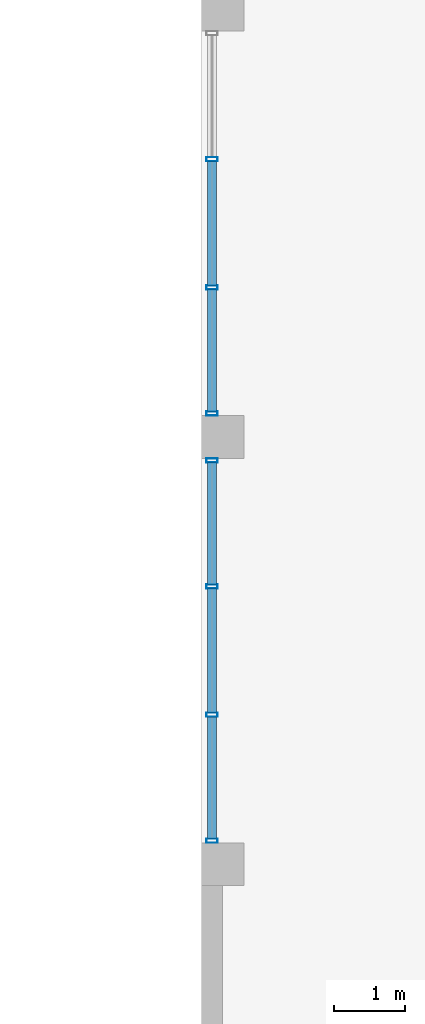
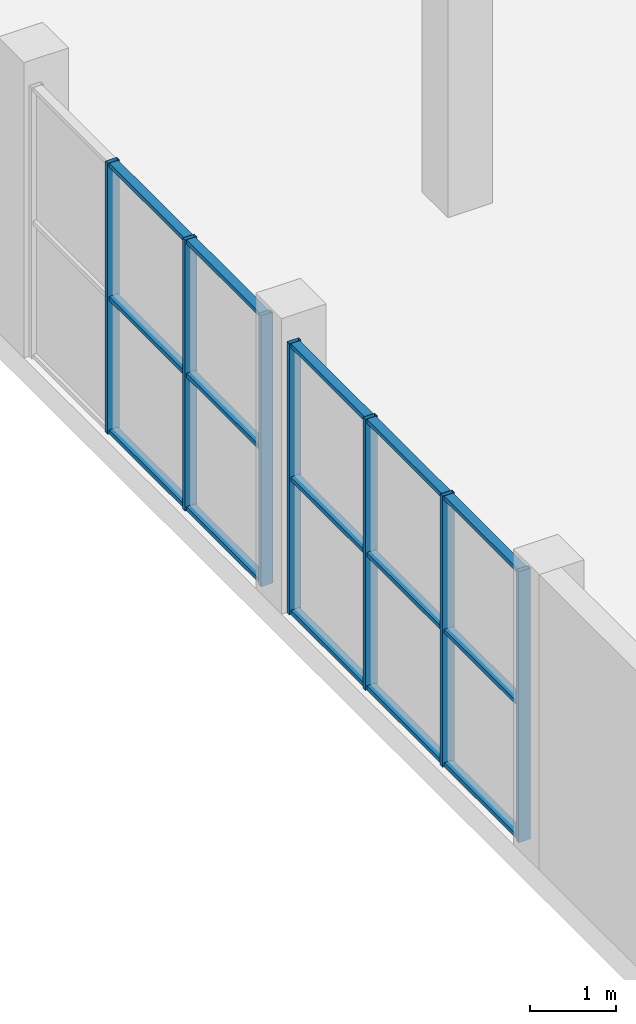
# One storey, part 6 of 45: 22 members, 2 elements without a shape of their own.
"""IFC4 building model written with IfcOpenShell, lengths in metres."""

from ifc_helpers import new_model, si_unit, direction, frame, origin, origin_2d, place, context, subcontext, project, spatial, hollow_rectangle, extrude, material, layer, layer_set, material_profile, profile_set, type_object, element, aggregate, save


model = new_model("IFC4")

# Units and contexts
model_context = context("Model", 3, precision=1e-05, world=origin(), true_north=direction((0.0, 1.0)))
body_context = subcontext(model_context, "Body", "Model", "MODEL_VIEW")
ifc_project = project(units=[si_unit("LENGTHUNIT", "METRE"), si_unit("AREAUNIT", "SQUARE_METRE"), si_unit("VOLUMEUNIT", "CUBIC_METRE"), si_unit("PLANEANGLEUNIT", "RADIAN"), si_unit("MASSUNIT", "GRAM", prefix="KILO")], contexts=[model_context])

# Site, building, storey
site_placement = place(None, origin())
site = spatial("IfcSite", under=ifc_project, at=site_placement, CompositionType="ELEMENT")
building_placement = place(site_placement, origin())
building = spatial("IfcBuilding", under=site, at=building_placement, Name="Nakaniwa Court", CompositionType="ELEMENT")
storey_placement = place(building_placement, frame((0.0, 0.0, 11.39990234375)))
storey = spatial("IfcBuildingStorey", under=building, at=storey_placement, Name="L02", CompositionType="ELEMENT", Elevation=11.39990234375)

# Curtain wall, members
ifc_material_1 = material(Name="Dark low-E laminated glass in black aluminium frame", Category="aluminium")
ifc_layer = layer(ifc_material_1, 0.159912109375)
ifc_layer_set = layer_set([ifc_layer], Name="Dark low-E laminated glass in black aluminium frame")
curtain_wall_type = type_object("IfcCurtainWallType", Name="Hall foyer curtain wall CW6", PredefinedType="NOTDEFINED", material=ifc_layer_set)
curtain_wall_1_placement = place(storey_placement, origin())
curtain_wall_1 = element("IfcCurtainWall", 1, at=curtain_wall_1_placement, inside=storey, type_object=curtain_wall_type, Name="Foyer curtain wall L02:003", PredefinedType="NOTDEFINED")
ifc_material_2 = material(Name="Extruded aluminium 6063-T6 black anodised", Category="aluminium")
ifc_material_profile_1 = material_profile(ifc_material_2, hollow_rectangle(XDim=0.159912109375, YDim=0.06005859375, WallThickness=0.0029296875, at=origin_2d()), Name="CW mullion 160x60")
ifc_profile_set_1 = profile_set([ifc_material_profile_1], Name="Extruded aluminium 6063-T6 black anodised")
member_type_1 = type_object("IfcMemberType", Name="Curtain wall mullion 160x60", PredefinedType="MULLION", material=ifc_profile_set_1)
member_1_placement = place(storey_placement, frame((152.14990234375, 68.330078125, 0.0), z_axis=(0.0, 0.0, 1.0), x_axis=(-1.0, 0.0, 0.0)))
member_1 = element("IfcMember", 2, at=member_1_placement, type_object=member_type_1, Name="HCW-05 mullion 1", PredefinedType="MULLION", context=body_context, shape_type="SweptSolid", body=[
    extrude(hollow_rectangle(XDim=0.159912109375, YDim=0.06005859375, WallThickness=0.0029296875, at=origin_2d()), origin(), (0.0, 0.0, 1.0), 3.85009765625),
])
member_2_placement = place(storey_placement, frame((152.14990234375, 70.10009765625, 0.0), z_axis=(0.0, 0.0, 1.0), x_axis=(-1.0, 0.0, 0.0)))
member_2 = element("IfcMember", 3, at=member_2_placement, type_object=member_type_1, Name="HCW-05 mullion 2", PredefinedType="MULLION", context=body_context, shape_type="SweptSolid", body=[
    extrude(hollow_rectangle(XDim=0.159912109375, YDim=0.06005859375, WallThickness=0.0029296875, at=origin_2d()), origin(), (0.0, 0.0, 1.0), 3.85009765625),
])
member_3_placement = place(storey_placement, frame((152.14990234375, 71.89990234375, 0.0), z_axis=(0.0, 0.0, 1.0), x_axis=(-1.0, 0.0, 0.0)))
member_3 = element("IfcMember", 4, at=member_3_placement, type_object=member_type_1, Name="HCW-05 mullion 3", PredefinedType="MULLION", context=body_context, shape_type="SweptSolid", body=[
    extrude(hollow_rectangle(XDim=0.159912109375, YDim=0.06005859375, WallThickness=0.0029296875, at=origin_2d()), origin(), (0.0, 0.0, 1.0), 3.85009765625),
])
member_4_placement = place(storey_placement, frame((152.14990234375, 73.669921875, 0.0), z_axis=(0.0, 0.0, 1.0), x_axis=(-1.0, 0.0, 0.0)))
member_4 = element("IfcMember", 5, at=member_4_placement, type_object=member_type_1, Name="HCW-05 mullion 4", PredefinedType="MULLION", context=body_context, shape_type="SweptSolid", body=[
    extrude(hollow_rectangle(XDim=0.159912109375, YDim=0.06005859375, WallThickness=0.0029296875, at=origin_2d()), origin(), (0.0, 0.0, 1.0), 3.85009765625),
])

curtain_wall_2_placement = place(storey_placement, origin())
curtain_wall_2 = element("IfcCurtainWall", 6, at=curtain_wall_2_placement, inside=storey, type_object=curtain_wall_type, Name="Foyer curtain wall L02:004", PredefinedType="NOTDEFINED")
member_5_placement = place(storey_placement, frame((152.14990234375, 74.330078125, 0.0), z_axis=(0.0, 0.0, 1.0), x_axis=(-1.0, 0.0, 0.0)))
member_5 = element("IfcMember", 7, at=member_5_placement, type_object=member_type_1, Name="HCW-06 mullion 1", PredefinedType="MULLION", context=body_context, shape_type="SweptSolid", body=[
    extrude(hollow_rectangle(XDim=0.159912109375, YDim=0.06005859375, WallThickness=0.0029296875, at=origin_2d()), origin(), (0.0, 0.0, 1.0), 3.85009765625),
])
member_6_placement = place(storey_placement, frame((152.14990234375, 76.10009765625, 0.0), z_axis=(0.0, 0.0, 1.0), x_axis=(-1.0, 0.0, 0.0)))
member_6 = element("IfcMember", 8, at=member_6_placement, type_object=member_type_1, Name="HCW-06 mullion 2", PredefinedType="MULLION", context=body_context, shape_type="SweptSolid", body=[
    extrude(hollow_rectangle(XDim=0.159912109375, YDim=0.06005859375, WallThickness=0.0029296875, at=origin_2d()), origin(), (0.0, 0.0, 1.0), 3.85009765625),
])
member_7_placement = place(storey_placement, frame((152.14990234375, 77.89990234375, 0.0), z_axis=(0.0, 0.0, 1.0), x_axis=(-1.0, 0.0, 0.0)))
member_7 = element("IfcMember", 9, at=member_7_placement, type_object=member_type_1, Name="HCW-06 mullion 3", PredefinedType="MULLION", context=body_context, shape_type="SweptSolid", body=[
    extrude(hollow_rectangle(XDim=0.159912109375, YDim=0.06005859375, WallThickness=0.0029296875, at=origin_2d()), origin(), (0.0, 0.0, 1.0), 3.85009765625),
])

# Member
ifc_material_profile_2 = material_profile(ifc_material_2, hollow_rectangle(XDim=0.1201171875, YDim=0.06005859375, WallThickness=0.0029296875, at=origin_2d()), Name="CW transom 120x60")
ifc_profile_set_2 = profile_set([ifc_material_profile_2], Name="Extruded aluminium 6063-T6 black anodised")
member_type_2 = type_object("IfcMemberType", Name="Curtain wall transom 120x60", PredefinedType="USERDEFINED", material=ifc_profile_set_2)
member_8_placement = place(storey_placement, frame((152.14990234375, 68.360107421875, 0.030029296875), z_axis=(0.0, 1.0, 0.0), x_axis=(-1.0, 0.0, 0.0)))
member_8 = element("IfcMember", 10, at=member_8_placement, type_object=member_type_2, Name="HCW-05 transom 1.1", ObjectType="TRANSOM", PredefinedType="USERDEFINED", context=body_context, shape_type="SweptSolid", body=[
    extrude(hollow_rectangle(XDim=0.1201171875, YDim=0.06005859375, WallThickness=0.0029296875, at=origin_2d()), origin(), (0.0, 0.0, 1.0), 1.7099609375),
])

member_9_placement = place(storey_placement, frame((152.14990234375, 68.360107421875, 1.925048828125), z_axis=(0.0, 1.0, 0.0), x_axis=(-1.0, 0.0, 0.0)))
member_9 = element("IfcMember", 11, at=member_9_placement, type_object=member_type_2, Name="HCW-05 transom 1.2", ObjectType="TRANSOM", PredefinedType="USERDEFINED", context=body_context, shape_type="SweptSolid", body=[
    extrude(hollow_rectangle(XDim=0.1201171875, YDim=0.06005859375, WallThickness=0.0029296875, at=origin_2d()), origin(), (0.0, 0.0, 1.0), 1.7099609375),
])

member_10_placement = place(storey_placement, frame((152.14990234375, 68.360107421875, 3.820068359375), z_axis=(0.0, 1.0, 0.0), x_axis=(-1.0, 0.0, 0.0)))
member_10 = element("IfcMember", 12, at=member_10_placement, type_object=member_type_2, Name="HCW-05 transom 1.3", ObjectType="TRANSOM", PredefinedType="USERDEFINED", context=body_context, shape_type="SweptSolid", body=[
    extrude(hollow_rectangle(XDim=0.1201171875, YDim=0.06005859375, WallThickness=0.0029296875, at=origin_2d()), origin(), (0.0, 0.0, 1.0), 1.7099609375),
])

member_11_placement = place(storey_placement, frame((152.14990234375, 70.1298828125, 0.030029296875), z_axis=(0.0, 1.0, 0.0), x_axis=(-1.0, 0.0, 0.0)))
member_11 = element("IfcMember", 13, at=member_11_placement, type_object=member_type_2, Name="HCW-05 transom 2.1", ObjectType="TRANSOM", PredefinedType="USERDEFINED", context=body_context, shape_type="SweptSolid", body=[
    extrude(hollow_rectangle(XDim=0.1201171875, YDim=0.06005859375, WallThickness=0.0029296875, at=origin_2d()), origin(), (0.0, 0.0, 1.0), 1.740234375),
])

member_12_placement = place(storey_placement, frame((152.14990234375, 70.1298828125, 1.925048828125), z_axis=(0.0, 1.0, 0.0), x_axis=(-1.0, 0.0, 0.0)))
member_12 = element("IfcMember", 14, at=member_12_placement, type_object=member_type_2, Name="HCW-05 transom 2.2", ObjectType="TRANSOM", PredefinedType="USERDEFINED", context=body_context, shape_type="SweptSolid", body=[
    extrude(hollow_rectangle(XDim=0.1201171875, YDim=0.06005859375, WallThickness=0.0029296875, at=origin_2d()), origin(), (0.0, 0.0, 1.0), 1.740234375),
])

member_13_placement = place(storey_placement, frame((152.14990234375, 70.1298828125, 3.820068359375), z_axis=(0.0, 1.0, 0.0), x_axis=(-1.0, 0.0, 0.0)))
member_13 = element("IfcMember", 15, at=member_13_placement, type_object=member_type_2, Name="HCW-05 transom 2.3", ObjectType="TRANSOM", PredefinedType="USERDEFINED", context=body_context, shape_type="SweptSolid", body=[
    extrude(hollow_rectangle(XDim=0.1201171875, YDim=0.06005859375, WallThickness=0.0029296875, at=origin_2d()), origin(), (0.0, 0.0, 1.0), 1.740234375),
])

member_14_placement = place(storey_placement, frame((152.14990234375, 71.929931640625, 0.030029296875), z_axis=(0.0, 1.0, 0.0), x_axis=(-1.0, 0.0, 0.0)))
member_14 = element("IfcMember", 16, at=member_14_placement, type_object=member_type_2, Name="HCW-05 transom 3.1", ObjectType="TRANSOM", PredefinedType="USERDEFINED", context=body_context, shape_type="SweptSolid", body=[
    extrude(hollow_rectangle(XDim=0.1201171875, YDim=0.06005859375, WallThickness=0.0029296875, at=origin_2d()), origin(), (0.0, 0.0, 1.0), 1.7099609375),
])

member_15_placement = place(storey_placement, frame((152.14990234375, 71.929931640625, 1.925048828125), z_axis=(0.0, 1.0, 0.0), x_axis=(-1.0, 0.0, 0.0)))
member_15 = element("IfcMember", 17, at=member_15_placement, type_object=member_type_2, Name="HCW-05 transom 3.2", ObjectType="TRANSOM", PredefinedType="USERDEFINED", context=body_context, shape_type="SweptSolid", body=[
    extrude(hollow_rectangle(XDim=0.1201171875, YDim=0.06005859375, WallThickness=0.0029296875, at=origin_2d()), origin(), (0.0, 0.0, 1.0), 1.7099609375),
])

member_16_placement = place(storey_placement, frame((152.14990234375, 71.929931640625, 3.820068359375), z_axis=(0.0, 1.0, 0.0), x_axis=(-1.0, 0.0, 0.0)))
member_16 = element("IfcMember", 18, at=member_16_placement, type_object=member_type_2, Name="HCW-05 transom 3.3", ObjectType="TRANSOM", PredefinedType="USERDEFINED", context=body_context, shape_type="SweptSolid", body=[
    extrude(hollow_rectangle(XDim=0.1201171875, YDim=0.06005859375, WallThickness=0.0029296875, at=origin_2d()), origin(), (0.0, 0.0, 1.0), 1.7099609375),
])

aggregate(curtain_wall_1, [member_1, member_2, member_3, member_4, member_8, member_9, member_10, member_11, member_12, member_13, member_14, member_15, member_16])

member_17_placement = place(storey_placement, frame((152.14990234375, 74.360107421875, 0.030029296875), z_axis=(0.0, 1.0, 0.0), x_axis=(-1.0, 0.0, 0.0)))
member_17 = element("IfcMember", 19, at=member_17_placement, type_object=member_type_2, Name="HCW-06 transom 1.1", ObjectType="TRANSOM", PredefinedType="USERDEFINED", context=body_context, shape_type="SweptSolid", body=[
    extrude(hollow_rectangle(XDim=0.1201171875, YDim=0.06005859375, WallThickness=0.0029296875, at=origin_2d()), origin(), (0.0, 0.0, 1.0), 1.7099609375),
])

member_18_placement = place(storey_placement, frame((152.14990234375, 74.360107421875, 1.925048828125), z_axis=(0.0, 1.0, 0.0), x_axis=(-1.0, 0.0, 0.0)))
member_18 = element("IfcMember", 20, at=member_18_placement, type_object=member_type_2, Name="HCW-06 transom 1.2", ObjectType="TRANSOM", PredefinedType="USERDEFINED", context=body_context, shape_type="SweptSolid", body=[
    extrude(hollow_rectangle(XDim=0.1201171875, YDim=0.06005859375, WallThickness=0.0029296875, at=origin_2d()), origin(), (0.0, 0.0, 1.0), 1.7099609375),
])

member_19_placement = place(storey_placement, frame((152.14990234375, 74.360107421875, 3.820068359375), z_axis=(0.0, 1.0, 0.0), x_axis=(-1.0, 0.0, 0.0)))
member_19 = element("IfcMember", 21, at=member_19_placement, type_object=member_type_2, Name="HCW-06 transom 1.3", ObjectType="TRANSOM", PredefinedType="USERDEFINED", context=body_context, shape_type="SweptSolid", body=[
    extrude(hollow_rectangle(XDim=0.1201171875, YDim=0.06005859375, WallThickness=0.0029296875, at=origin_2d()), origin(), (0.0, 0.0, 1.0), 1.7099609375),
])

member_20_placement = place(storey_placement, frame((152.14990234375, 76.1298828125, 0.030029296875), z_axis=(0.0, 1.0, 0.0), x_axis=(-1.0, 0.0, 0.0)))
member_20 = element("IfcMember", 22, at=member_20_placement, type_object=member_type_2, Name="HCW-06 transom 2.1", ObjectType="TRANSOM", PredefinedType="USERDEFINED", context=body_context, shape_type="SweptSolid", body=[
    extrude(hollow_rectangle(XDim=0.1201171875, YDim=0.06005859375, WallThickness=0.0029296875, at=origin_2d()), origin(), (0.0, 0.0, 1.0), 1.740234375),
])

member_21_placement = place(storey_placement, frame((152.14990234375, 76.1298828125, 1.925048828125), z_axis=(0.0, 1.0, 0.0), x_axis=(-1.0, 0.0, 0.0)))
member_21 = element("IfcMember", 23, at=member_21_placement, type_object=member_type_2, Name="HCW-06 transom 2.2", ObjectType="TRANSOM", PredefinedType="USERDEFINED", context=body_context, shape_type="SweptSolid", body=[
    extrude(hollow_rectangle(XDim=0.1201171875, YDim=0.06005859375, WallThickness=0.0029296875, at=origin_2d()), origin(), (0.0, 0.0, 1.0), 1.740234375),
])

member_22_placement = place(storey_placement, frame((152.14990234375, 76.1298828125, 3.820068359375), z_axis=(0.0, 1.0, 0.0), x_axis=(-1.0, 0.0, 0.0)))
member_22 = element("IfcMember", 24, at=member_22_placement, type_object=member_type_2, Name="HCW-06 transom 2.3", ObjectType="TRANSOM", PredefinedType="USERDEFINED", context=body_context, shape_type="SweptSolid", body=[
    extrude(hollow_rectangle(XDim=0.1201171875, YDim=0.06005859375, WallThickness=0.0029296875, at=origin_2d()), origin(), (0.0, 0.0, 1.0), 1.740234375),
])

aggregate(curtain_wall_2, [member_5, member_6, member_7, member_17, member_18, member_19, member_20, member_21, member_22])

save(model, "model.ifc")
